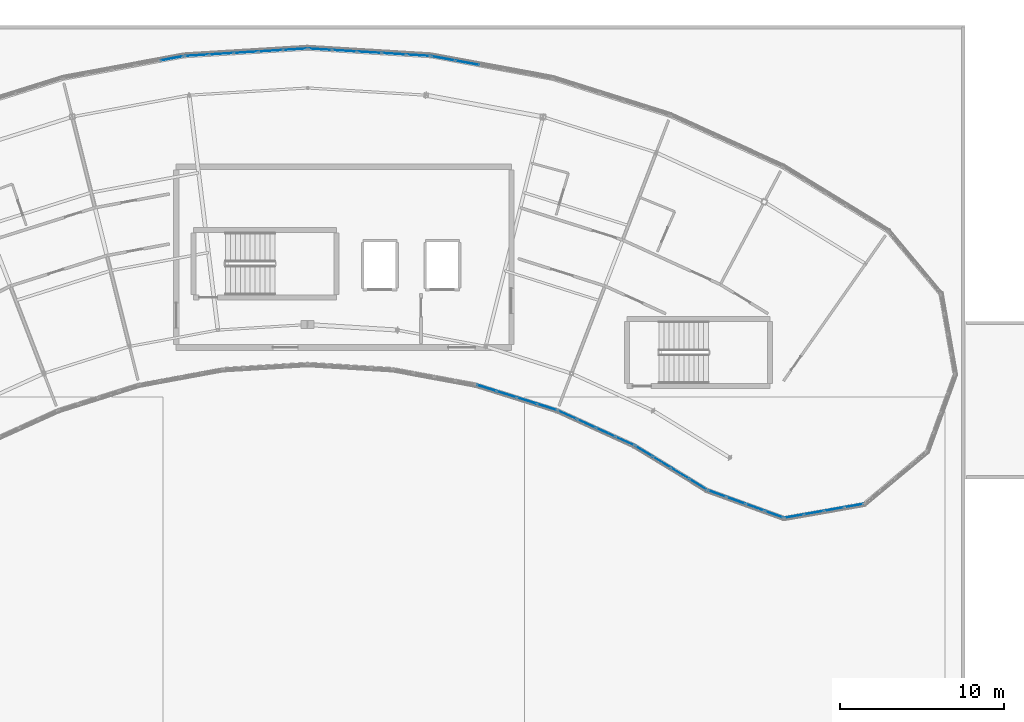
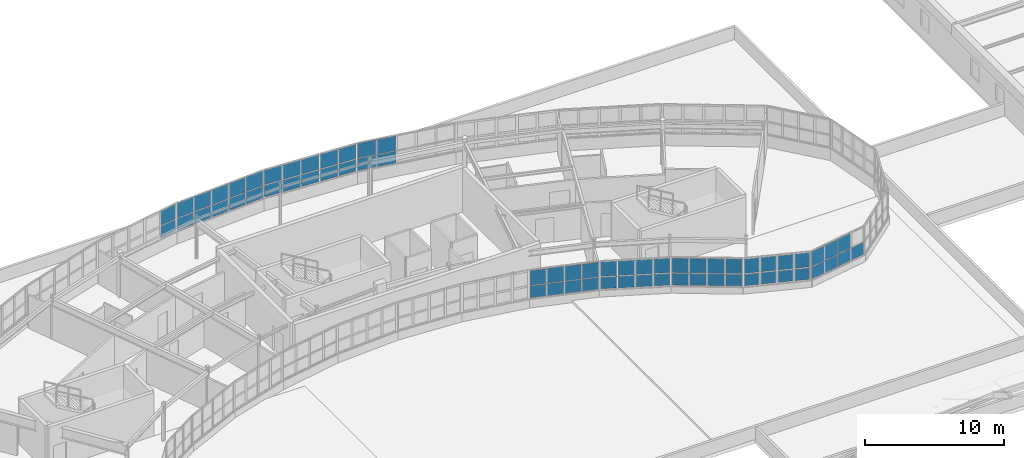
# One storey, part 77 of 128: 65 plates, 9 elements without a shape of their own.
"""IFC4 building model written with IfcOpenShell, lengths in metres."""

from ifc_helpers import new_model, si_unit, direction, frame, origin, origin_2d, place, context, subcontext, project, spatial, rectangle, extrude, material, layer, layer_set, type_object, element, aggregate, save


model = new_model("IFC4")

# Units and contexts
model_context = context("Model", 3, precision=1e-05, world=origin(), true_north=direction((0.0, 1.0)))
body_context = subcontext(model_context, "Body", "Model", "MODEL_VIEW")
ifc_project = project(units=[si_unit("LENGTHUNIT", "METRE"), si_unit("AREAUNIT", "SQUARE_METRE"), si_unit("VOLUMEUNIT", "CUBIC_METRE"), si_unit("PLANEANGLEUNIT", "RADIAN"), si_unit("MASSUNIT", "GRAM", prefix="KILO")], contexts=[model_context])

# Site, building, storey
site_placement = place(None, origin())
site = spatial("IfcSite", under=ifc_project, at=site_placement, CompositionType="ELEMENT")
building_placement = place(site_placement, origin())
building = spatial("IfcBuilding", under=site, at=building_placement, Name="Tarnwether General Hospital", CompositionType="ELEMENT")
storey_placement = place(building_placement, frame((0.0, 0.0, 14.39990234375)))
storey = spatial("IfcBuildingStorey", under=building, at=storey_placement, Name="L03", CompositionType="ELEMENT", Elevation=14.39990234375)

# Curtain wall, plates
ifc_material_1 = material(Name="Anodised aluminium", Category="aluminium")
ifc_layer_1 = layer(ifc_material_1, 0.159912109375)
ifc_layer_set_1 = layer_set([ifc_layer_1], Name="Anodised aluminium")
curtain_wall_type_1 = type_object("IfcCurtainWallType", Name="CW-03", PredefinedType="NOTDEFINED", material=ifc_layer_set_1)
curtain_wall_1_placement = place(storey_placement, origin())
curtain_wall_1 = element("IfcCurtainWall", 1, at=curtain_wall_1_placement, inside=storey, type_object=curtain_wall_type_1, Name="Curtain Wall CWG-L03-1119_1004-0014", PredefinedType="NOTDEFINED")
ifc_material_2 = material(Name="Double glazed low-E glass", Category="glass")
ifc_layer_2 = layer(ifc_material_2, 0.028076171875)
ifc_layer_set_2 = layer_set([ifc_layer_2], Name="Double glazed low-E glass")
plate_type_1 = type_object("IfcPlateType", Name="PT-CWP1", PredefinedType="CURTAIN_PANEL", material=ifc_layer_set_2)
plate_1_placement = place(storey_placement, frame((111.30126953125, 100.712646484375, 1.1201171875), z_axis=(0.0, 0.0, 1.0), x_axis=(-0.90995590549, 0.41470501572, 0.0)))
plate_1 = element("IfcPlate", 2, at=plate_1_placement, type_object=plate_type_1, Name="CW-03 panel 1.1", PredefinedType="CURTAIN_PANEL", context=body_context, shape_type="SweptSolid", body=[
    extrude(rectangle(XDim=1.189208984375, YDim=0.028076171875, at=origin_2d()), origin(), (0.0, 0.0, 1.0), 1.0244140625),
])
plate_2_placement = place(storey_placement, frame((111.30126953125, 100.712646484375, 2.214599609375), z_axis=(0.0, 0.0, 1.0), x_axis=(-0.90995590549, 0.41470501572, 0.0)))
plate_2 = element("IfcPlate", 3, at=plate_2_placement, type_object=plate_type_1, Name="CW-03 panel 1.2", PredefinedType="CURTAIN_PANEL", context=body_context, shape_type="SweptSolid", body=[
    extrude(rectangle(XDim=1.189208984375, YDim=0.028076171875, at=origin_2d()), origin(), (0.0, 0.0, 1.0), 1.275390625),
])
plate_3_placement = place(storey_placement, frame((110.139404296875, 101.2421875, 1.1201171875), z_axis=(0.0, 0.0, 1.0), x_axis=(-0.90995590549, 0.41470501572, 0.0)))
plate_3 = element("IfcPlate", 4, at=plate_3_placement, type_object=plate_type_1, Name="CW-03 panel 2.1", PredefinedType="CURTAIN_PANEL", context=body_context, shape_type="SweptSolid", body=[
    extrude(rectangle(XDim=1.224365234375, YDim=0.028076171875, at=origin_2d()), origin(), (0.0, 0.0, 1.0), 1.0244140625),
])
plate_4_placement = place(storey_placement, frame((110.139404296875, 101.2421875, 2.214599609375), z_axis=(0.0, 0.0, 1.0), x_axis=(-0.90995590549, 0.41470501572, 0.0)))
plate_4 = element("IfcPlate", 5, at=plate_4_placement, type_object=plate_type_1, Name="CW-03 panel 2.2", PredefinedType="CURTAIN_PANEL", context=body_context, shape_type="SweptSolid", body=[
    extrude(rectangle(XDim=1.224365234375, YDim=0.028076171875, at=origin_2d()), origin(), (0.0, 0.0, 1.0), 1.275390625),
])
plate_5_placement = place(storey_placement, frame((108.961669921875, 101.77880859375, 1.1201171875), z_axis=(0.0, 0.0, 1.0), x_axis=(-0.90995590549, 0.41470501572, 0.0)))
plate_5 = element("IfcPlate", 6, at=plate_5_placement, type_object=plate_type_1, Name="CW-03 panel 3.1", PredefinedType="CURTAIN_PANEL", context=body_context, shape_type="SweptSolid", body=[
    extrude(rectangle(XDim=1.224365234375, YDim=0.028076171875, at=origin_2d()), origin(), (0.0, 0.0, 1.0), 1.0244140625),
])
plate_6_placement = place(storey_placement, frame((108.961669921875, 101.77880859375, 2.214599609375), z_axis=(0.0, 0.0, 1.0), x_axis=(-0.90995590549, 0.41470501572, 0.0)))
plate_6 = element("IfcPlate", 7, at=plate_6_placement, type_object=plate_type_1, Name="CW-03 panel 3.2", PredefinedType="CURTAIN_PANEL", context=body_context, shape_type="SweptSolid", body=[
    extrude(rectangle(XDim=1.224365234375, YDim=0.028076171875, at=origin_2d()), origin(), (0.0, 0.0, 1.0), 1.275390625),
])
plate_7_placement = place(storey_placement, frame((107.7998046875, 102.308349609375, 1.1201171875), z_axis=(0.0, 0.0, 1.0), x_axis=(-0.90995590549, 0.41470501572, 0.0)))
plate_7 = element("IfcPlate", 8, at=plate_7_placement, type_object=plate_type_1, Name="CW-03 panel 4.1", PredefinedType="CURTAIN_PANEL", context=body_context, shape_type="SweptSolid", body=[
    extrude(rectangle(XDim=1.189208984375, YDim=0.028076171875, at=origin_2d()), origin(), (0.0, 0.0, 1.0), 1.0244140625),
])
plate_8_placement = place(storey_placement, frame((107.7998046875, 102.308349609375, 2.214599609375), z_axis=(0.0, 0.0, 1.0), x_axis=(-0.90995590549, 0.41470501572, 0.0)))
plate_8 = element("IfcPlate", 9, at=plate_8_placement, type_object=plate_type_1, Name="CW-03 panel 4.2", PredefinedType="CURTAIN_PANEL", context=body_context, shape_type="SweptSolid", body=[
    extrude(rectangle(XDim=1.189208984375, YDim=0.028076171875, at=origin_2d()), origin(), (0.0, 0.0, 1.0), 1.275390625),
])
aggregate(curtain_wall_1, [plate_1, plate_2, plate_3, plate_4, plate_5, plate_6, plate_7, plate_8])

curtain_wall_2_placement = place(storey_placement, origin())
curtain_wall_2 = element("IfcCurtainWall", 10, at=curtain_wall_2_placement, inside=storey, type_object=curtain_wall_type_1, Name="Curtain Wall CWG-L03-1163_977-0015", PredefinedType="NOTDEFINED")
plate_9_placement = place(storey_placement, frame((115.75439453125, 98.07861328125, 1.115234375), z_axis=(0.0, 0.0, 1.0), x_axis=(-0.852631789198, 0.522512231483, 0.0)))
plate_9 = element("IfcPlate", 11, at=plate_9_placement, type_object=plate_type_1, Name="CW-03 panel 1.1", PredefinedType="CURTAIN_PANEL", context=body_context, shape_type="SweptSolid", body=[
    extrude(rectangle(XDim=1.19677734375, YDim=0.028076171875, at=origin_2d()), origin(), (0.0, 0.0, 1.0), 1.031982421875),
])
plate_10_placement = place(storey_placement, frame((115.75439453125, 98.07861328125, 2.2119140625), z_axis=(0.0, 0.0, 1.0), x_axis=(-0.852631789198, 0.522512231483, 0.0)))
plate_10 = element("IfcPlate", 12, at=plate_10_placement, type_object=plate_type_1, Name="CW-03 panel 1.2", PredefinedType="CURTAIN_PANEL", context=body_context, shape_type="SweptSolid", body=[
    extrude(rectangle(XDim=1.19677734375, YDim=0.028076171875, at=origin_2d()), origin(), (0.0, 0.0, 1.0), 1.282958984375),
])
plate_11_placement = place(storey_placement, frame((114.664794921875, 98.746337890625, 1.115234375), z_axis=(0.0, 0.0, 1.0), x_axis=(-0.852631789198, 0.522512231483, 0.0)))
plate_11 = element("IfcPlate", 13, at=plate_11_placement, type_object=plate_type_1, Name="CW-03 panel 2.1", PredefinedType="CURTAIN_PANEL", context=body_context, shape_type="SweptSolid", body=[
    extrude(rectangle(XDim=1.229248046875, YDim=0.028076171875, at=origin_2d()), origin(), (0.0, 0.0, 1.0), 1.031982421875),
])
plate_12_placement = place(storey_placement, frame((114.664794921875, 98.746337890625, 2.2119140625), z_axis=(0.0, 0.0, 1.0), x_axis=(-0.852631789198, 0.522512231483, 0.0)))
plate_12 = element("IfcPlate", 14, at=plate_12_placement, type_object=plate_type_1, Name="CW-03 panel 2.2", PredefinedType="CURTAIN_PANEL", context=body_context, shape_type="SweptSolid", body=[
    extrude(rectangle(XDim=1.229248046875, YDim=0.028076171875, at=origin_2d()), origin(), (0.0, 0.0, 1.0), 1.282958984375),
])
plate_13_placement = place(storey_placement, frame((113.561279296875, 99.422607421875, 1.115234375), z_axis=(0.0, 0.0, 1.0), x_axis=(-0.852631789198, 0.522512231483, 0.0)))
plate_13 = element("IfcPlate", 15, at=plate_13_placement, type_object=plate_type_1, Name="CW-03 panel 3.1", PredefinedType="CURTAIN_PANEL", context=body_context, shape_type="SweptSolid", body=[
    extrude(rectangle(XDim=1.229248046875, YDim=0.028076171875, at=origin_2d()), origin(), (0.0, 0.0, 1.0), 1.031982421875),
])
plate_14_placement = place(storey_placement, frame((113.561279296875, 99.422607421875, 2.2119140625), z_axis=(0.0, 0.0, 1.0), x_axis=(-0.852631789198, 0.522512231483, 0.0)))
plate_14 = element("IfcPlate", 16, at=plate_14_placement, type_object=plate_type_1, Name="CW-03 panel 3.2", PredefinedType="CURTAIN_PANEL", context=body_context, shape_type="SweptSolid", body=[
    extrude(rectangle(XDim=1.229248046875, YDim=0.028076171875, at=origin_2d()), origin(), (0.0, 0.0, 1.0), 1.282958984375),
])
plate_15_placement = place(storey_placement, frame((112.4716796875, 100.09033203125, 1.115234375), z_axis=(0.0, 0.0, 1.0), x_axis=(-0.852631789198, 0.522512231483, 0.0)))
plate_15 = element("IfcPlate", 17, at=plate_15_placement, type_object=plate_type_1, Name="CW-03 panel 4.1", PredefinedType="CURTAIN_PANEL", context=body_context, shape_type="SweptSolid", body=[
    extrude(rectangle(XDim=1.19677734375, YDim=0.028076171875, at=origin_2d()), origin(), (0.0, 0.0, 1.0), 1.031982421875),
])
plate_16_placement = place(storey_placement, frame((112.4716796875, 100.09033203125, 2.2119140625), z_axis=(0.0, 0.0, 1.0), x_axis=(-0.852631789198, 0.522512231483, 0.0)))
plate_16 = element("IfcPlate", 18, at=plate_16_placement, type_object=plate_type_1, Name="CW-03 panel 4.2", PredefinedType="CURTAIN_PANEL", context=body_context, shape_type="SweptSolid", body=[
    extrude(rectangle(XDim=1.19677734375, YDim=0.028076171875, at=origin_2d()), origin(), (0.0, 0.0, 1.0), 1.282958984375),
])
aggregate(curtain_wall_2, [plate_9, plate_10, plate_11, plate_12, plate_13, plate_14, plate_15, plate_16])

curtain_wall_3_placement = place(storey_placement, origin())
curtain_wall_3 = element("IfcCurtainWall", 19, at=curtain_wall_3_placement, inside=storey, type_object=curtain_wall_type_1, Name="Curtain Wall CWG-L03-1259_969-0017", PredefinedType="NOTDEFINED")
plate_17_placement = place(storey_placement, frame((125.256591796875, 96.784423828125, 1.110107421875), z_axis=(0.0, 0.0, 1.0), x_axis=(-0.984805834268, -0.173659059054, 0.0)))
plate_17 = element("IfcPlate", 20, at=plate_17_placement, type_object=plate_type_1, Name="CW-03 panel 1.1", PredefinedType="CURTAIN_PANEL", context=body_context, shape_type="SweptSolid", body=[
    extrude(rectangle(XDim=1.15234375, YDim=0.028076171875, at=origin_2d()), origin(), (0.0, 0.0, 1.0), 1.03955078125),
])
plate_18_placement = place(storey_placement, frame((124.0478515625, 96.5712890625, 1.110107421875), z_axis=(0.0, 0.0, 1.0), x_axis=(-0.984805834268, -0.173659059054, 0.0)))
plate_18 = element("IfcPlate", 21, at=plate_18_placement, type_object=plate_type_1, Name="CW-03 panel 2.1", PredefinedType="CURTAIN_PANEL", context=body_context, shape_type="SweptSolid", body=[
    extrude(rectangle(XDim=1.182373046875, YDim=0.028076171875, at=origin_2d()), origin(), (0.0, 0.0, 1.0), 1.03955078125),
])
plate_19_placement = place(storey_placement, frame((124.0478515625, 96.5712890625, 2.20947265625), z_axis=(0.0, 0.0, 1.0), x_axis=(-0.984805834268, -0.173659059054, 0.0)))
plate_19 = element("IfcPlate", 22, at=plate_19_placement, type_object=plate_type_1, Name="CW-03 panel 2.2", PredefinedType="CURTAIN_PANEL", context=body_context, shape_type="SweptSolid", body=[
    extrude(rectangle(XDim=1.182373046875, YDim=0.028076171875, at=origin_2d()), origin(), (0.0, 0.0, 1.0), 1.29052734375),
])
plate_20_placement = place(storey_placement, frame((122.82421875, 96.355712890625, 1.110107421875), z_axis=(0.0, 0.0, 1.0), x_axis=(-0.984805834268, -0.173659059054, 0.0)))
plate_20 = element("IfcPlate", 23, at=plate_20_placement, type_object=plate_type_1, Name="CW-03 panel 3.1", PredefinedType="CURTAIN_PANEL", context=body_context, shape_type="SweptSolid", body=[
    extrude(rectangle(XDim=1.182373046875, YDim=0.028076171875, at=origin_2d()), origin(), (0.0, 0.0, 1.0), 1.03955078125),
])
plate_21_placement = place(storey_placement, frame((122.82421875, 96.355712890625, 2.20947265625), z_axis=(0.0, 0.0, 1.0), x_axis=(-0.984805834268, -0.173659059054, 0.0)))
plate_21 = element("IfcPlate", 24, at=plate_21_placement, type_object=plate_type_1, Name="CW-03 panel 3.2", PredefinedType="CURTAIN_PANEL", context=body_context, shape_type="SweptSolid", body=[
    extrude(rectangle(XDim=1.182373046875, YDim=0.028076171875, at=origin_2d()), origin(), (0.0, 0.0, 1.0), 1.29052734375),
])
plate_22_placement = place(storey_placement, frame((121.615478515625, 96.142578125, 1.110107421875), z_axis=(0.0, 0.0, 1.0), x_axis=(-0.984805834268, -0.173659059054, 0.0)))
plate_22 = element("IfcPlate", 25, at=plate_22_placement, type_object=plate_type_1, Name="CW-03 panel 4.1", PredefinedType="CURTAIN_PANEL", context=body_context, shape_type="SweptSolid", body=[
    extrude(rectangle(XDim=1.15234375, YDim=0.028076171875, at=origin_2d()), origin(), (0.0, 0.0, 1.0), 1.03955078125),
])
plate_23_placement = place(storey_placement, frame((121.615478515625, 96.142578125, 2.20947265625), z_axis=(0.0, 0.0, 1.0), x_axis=(-0.984805834268, -0.173659059054, 0.0)))
plate_23 = element("IfcPlate", 26, at=plate_23_placement, type_object=plate_type_1, Name="CW-03 panel 4.2", PredefinedType="CURTAIN_PANEL", context=body_context, shape_type="SweptSolid", body=[
    extrude(rectangle(XDim=1.15234375, YDim=0.028076171875, at=origin_2d()), origin(), (0.0, 0.0, 1.0), 1.29052734375),
])
aggregate(curtain_wall_3, [plate_17, plate_18, plate_19, plate_20, plate_21, plate_22, plate_23])

ifc_material_3 = material(Name="Anodised aluminium", Category="aluminium")
ifc_layer_3 = layer(ifc_material_3, 0.159912109375)
ifc_layer_set_3 = layer_set([ifc_layer_3], Name="Anodised aluminium")
curtain_wall_type_2 = type_object("IfcCurtainWallType", Name="CW-01", PredefinedType="NOTDEFINED", material=ifc_layer_set_3)
curtain_wall_4_placement = place(storey_placement, origin())
curtain_wall_4 = element("IfcCurtainWall", 27, at=curtain_wall_4_placement, inside=storey, type_object=curtain_wall_type_2, Name="Curtain Wall CWG-L03-920_1246-0026", PredefinedType="NOTDEFINED")
plate_24_placement = place(storey_placement, frame((92.76806640625, 124.552978515625, 1.1201171875), z_axis=(0.0, 0.0, 1.0), x_axis=(0.998135995608, -0.061028962567, 0.0)))
plate_24 = element("IfcPlate", 28, at=plate_24_placement, type_object=plate_type_1, Name="CW-01 panel 1.1", PredefinedType="CURTAIN_PANEL", context=body_context, shape_type="SweptSolid", body=[
    extrude(rectangle(XDim=1.399169921875, YDim=0.028076171875, at=origin_2d()), origin(), (0.0, 0.0, 1.0), 1.0244140625),
])
plate_25_placement = place(storey_placement, frame((92.76806640625, 124.552978515625, 2.214599609375), z_axis=(0.0, 0.0, 1.0), x_axis=(0.998135995608, -0.061028962567, 0.0)))
plate_25 = element("IfcPlate", 29, at=plate_25_placement, type_object=plate_type_1, Name="CW-01 panel 1.2", PredefinedType="CURTAIN_PANEL", context=body_context, shape_type="SweptSolid", body=[
    extrude(rectangle(XDim=1.399169921875, YDim=0.028076171875, at=origin_2d()), origin(), (0.0, 0.0, 1.0), 1.275390625),
])
plate_26_placement = place(storey_placement, frame((94.252197265625, 124.46240234375, 1.1201171875), z_axis=(0.0, 0.0, 1.0), x_axis=(0.998135995608, -0.061028962567, 0.0)))
plate_26 = element("IfcPlate", 30, at=plate_26_placement, type_object=plate_type_1, Name="CW-01 panel 2.1", PredefinedType="CURTAIN_PANEL", context=body_context, shape_type="SweptSolid", body=[
    extrude(rectangle(XDim=1.43408203125, YDim=0.028076171875, at=origin_2d()), origin(), (0.0, 0.0, 1.0), 1.0244140625),
])
plate_27_placement = place(storey_placement, frame((94.252197265625, 124.46240234375, 2.214599609375), z_axis=(0.0, 0.0, 1.0), x_axis=(0.998135995608, -0.061028962567, 0.0)))
plate_27 = element("IfcPlate", 31, at=plate_27_placement, type_object=plate_type_1, Name="CW-01 panel 2.2", PredefinedType="CURTAIN_PANEL", context=body_context, shape_type="SweptSolid", body=[
    extrude(rectangle(XDim=1.43408203125, YDim=0.028076171875, at=origin_2d()), origin(), (0.0, 0.0, 1.0), 1.275390625),
])
plate_28_placement = place(storey_placement, frame((95.75341796875, 124.37060546875, 1.1201171875), z_axis=(0.0, 0.0, 1.0), x_axis=(0.998135995608, -0.061028962567, 0.0)))
plate_28 = element("IfcPlate", 32, at=plate_28_placement, type_object=plate_type_1, Name="CW-01 panel 3.1", PredefinedType="CURTAIN_PANEL", context=body_context, shape_type="SweptSolid", body=[
    extrude(rectangle(XDim=1.43408203125, YDim=0.028076171875, at=origin_2d()), origin(), (0.0, 0.0, 1.0), 1.0244140625),
])
plate_29_placement = place(storey_placement, frame((95.75341796875, 124.37060546875, 2.214599609375), z_axis=(0.0, 0.0, 1.0), x_axis=(0.998135995608, -0.061028962567, 0.0)))
plate_29 = element("IfcPlate", 33, at=plate_29_placement, type_object=plate_type_1, Name="CW-01 panel 3.2", PredefinedType="CURTAIN_PANEL", context=body_context, shape_type="SweptSolid", body=[
    extrude(rectangle(XDim=1.43408203125, YDim=0.028076171875, at=origin_2d()), origin(), (0.0, 0.0, 1.0), 1.275390625),
])
plate_30_placement = place(storey_placement, frame((97.2548828125, 124.27880859375, 1.1201171875), z_axis=(0.0, 0.0, 1.0), x_axis=(0.998135995608, -0.061028962567, 0.0)))
plate_30 = element("IfcPlate", 34, at=plate_30_placement, type_object=plate_type_1, Name="CW-01 panel 4.1", PredefinedType="CURTAIN_PANEL", context=body_context, shape_type="SweptSolid", body=[
    extrude(rectangle(XDim=1.43408203125, YDim=0.028076171875, at=origin_2d()), origin(), (0.0, 0.0, 1.0), 1.0244140625),
])
plate_31_placement = place(storey_placement, frame((97.2548828125, 124.27880859375, 2.214599609375), z_axis=(0.0, 0.0, 1.0), x_axis=(0.998135995608, -0.061028962567, 0.0)))
plate_31 = element("IfcPlate", 35, at=plate_31_placement, type_object=plate_type_1, Name="CW-01 panel 4.2", PredefinedType="CURTAIN_PANEL", context=body_context, shape_type="SweptSolid", body=[
    extrude(rectangle(XDim=1.43408203125, YDim=0.028076171875, at=origin_2d()), origin(), (0.0, 0.0, 1.0), 1.275390625),
])
plate_32_placement = place(storey_placement, frame((98.73876953125, 124.18798828125, 1.1201171875), z_axis=(0.0, 0.0, 1.0), x_axis=(0.998135995608, -0.061028962567, 0.0)))
plate_32 = element("IfcPlate", 36, at=plate_32_placement, type_object=plate_type_1, Name="CW-01 panel 5.1", PredefinedType="CURTAIN_PANEL", context=body_context, shape_type="SweptSolid", body=[
    extrude(rectangle(XDim=1.399169921875, YDim=0.028076171875, at=origin_2d()), origin(), (0.0, 0.0, 1.0), 1.0244140625),
])
plate_33_placement = place(storey_placement, frame((98.73876953125, 124.18798828125, 2.214599609375), z_axis=(0.0, 0.0, 1.0), x_axis=(0.998135995608, -0.061028962567, 0.0)))
plate_33 = element("IfcPlate", 37, at=plate_33_placement, type_object=plate_type_1, Name="CW-01 panel 5.2", PredefinedType="CURTAIN_PANEL", context=body_context, shape_type="SweptSolid", body=[
    extrude(rectangle(XDim=1.399169921875, YDim=0.028076171875, at=origin_2d()), origin(), (0.0, 0.0, 1.0), 1.275390625),
])
aggregate(curtain_wall_4, [plate_24, plate_25, plate_26, plate_27, plate_28, plate_29, plate_30, plate_31, plate_32, plate_33])

curtain_wall_5_placement = place(storey_placement, origin())
curtain_wall_5 = element("IfcCurtainWall", 38, at=curtain_wall_5_placement, inside=storey, type_object=curtain_wall_type_2, Name="Curtain Wall CWG-L03-845_1241-0027", PredefinedType="NOTDEFINED")
plate_34_placement = place(storey_placement, frame((85.260009765625, 124.18798828125, 1.115234375), z_axis=(0.0, 0.0, 1.0), x_axis=(0.998135995608, 0.061028962567, 0.0)))
plate_34 = element("IfcPlate", 39, at=plate_34_placement, type_object=plate_type_1, Name="CW-01 panel 1.1", PredefinedType="CURTAIN_PANEL", context=body_context, shape_type="SweptSolid", body=[
    extrude(rectangle(XDim=1.40673828125, YDim=0.028076171875, at=origin_2d()), origin(), (0.0, 0.0, 1.0), 1.031982421875),
])
plate_35_placement = place(storey_placement, frame((85.260009765625, 124.18798828125, 2.2119140625), z_axis=(0.0, 0.0, 1.0), x_axis=(0.998135995608, 0.061028962567, 0.0)))
plate_35 = element("IfcPlate", 40, at=plate_35_placement, type_object=plate_type_1, Name="CW-01 panel 1.2", PredefinedType="CURTAIN_PANEL", context=body_context, shape_type="SweptSolid", body=[
    extrude(rectangle(XDim=1.40673828125, YDim=0.028076171875, at=origin_2d()), origin(), (0.0, 0.0, 1.0), 1.282958984375),
])
plate_36_placement = place(storey_placement, frame((86.7451171875, 124.27880859375, 1.115234375), z_axis=(0.0, 0.0, 1.0), x_axis=(0.998135995608, 0.061028962567, 0.0)))
plate_36 = element("IfcPlate", 41, at=plate_36_placement, type_object=plate_type_1, Name="CW-01 panel 2.1", PredefinedType="CURTAIN_PANEL", context=body_context, shape_type="SweptSolid", body=[
    extrude(rectangle(XDim=1.439208984375, YDim=0.028076171875, at=origin_2d()), origin(), (0.0, 0.0, 1.0), 1.031982421875),
])
plate_37_placement = place(storey_placement, frame((86.7451171875, 124.27880859375, 2.2119140625), z_axis=(0.0, 0.0, 1.0), x_axis=(0.998135995608, 0.061028962567, 0.0)))
plate_37 = element("IfcPlate", 42, at=plate_37_placement, type_object=plate_type_1, Name="CW-01 panel 2.2", PredefinedType="CURTAIN_PANEL", context=body_context, shape_type="SweptSolid", body=[
    extrude(rectangle(XDim=1.439208984375, YDim=0.028076171875, at=origin_2d()), origin(), (0.0, 0.0, 1.0), 1.282958984375),
])
plate_38_placement = place(storey_placement, frame((88.24658203125, 124.37060546875, 1.115234375), z_axis=(0.0, 0.0, 1.0), x_axis=(0.998135995608, 0.061028962567, 0.0)))
plate_38 = element("IfcPlate", 43, at=plate_38_placement, type_object=plate_type_1, Name="CW-01 panel 3.1", PredefinedType="CURTAIN_PANEL", context=body_context, shape_type="SweptSolid", body=[
    extrude(rectangle(XDim=1.439208984375, YDim=0.028076171875, at=origin_2d()), origin(), (0.0, 0.0, 1.0), 1.031982421875),
])
plate_39_placement = place(storey_placement, frame((88.24658203125, 124.37060546875, 2.2119140625), z_axis=(0.0, 0.0, 1.0), x_axis=(0.998135995608, 0.061028962567, 0.0)))
plate_39 = element("IfcPlate", 44, at=plate_39_placement, type_object=plate_type_1, Name="CW-01 panel 3.2", PredefinedType="CURTAIN_PANEL", context=body_context, shape_type="SweptSolid", body=[
    extrude(rectangle(XDim=1.439208984375, YDim=0.028076171875, at=origin_2d()), origin(), (0.0, 0.0, 1.0), 1.282958984375),
])
plate_40_placement = place(storey_placement, frame((89.747802734375, 124.46240234375, 1.115234375), z_axis=(0.0, 0.0, 1.0), x_axis=(0.998135995608, 0.061028962567, 0.0)))
plate_40 = element("IfcPlate", 45, at=plate_40_placement, type_object=plate_type_1, Name="CW-01 panel 4.1", PredefinedType="CURTAIN_PANEL", context=body_context, shape_type="SweptSolid", body=[
    extrude(rectangle(XDim=1.439208984375, YDim=0.028076171875, at=origin_2d()), origin(), (0.0, 0.0, 1.0), 1.031982421875),
])
plate_41_placement = place(storey_placement, frame((89.747802734375, 124.46240234375, 2.2119140625), z_axis=(0.0, 0.0, 1.0), x_axis=(0.998135995608, 0.061028962567, 0.0)))
plate_41 = element("IfcPlate", 46, at=plate_41_placement, type_object=plate_type_1, Name="CW-01 panel 4.2", PredefinedType="CURTAIN_PANEL", context=body_context, shape_type="SweptSolid", body=[
    extrude(rectangle(XDim=1.439208984375, YDim=0.028076171875, at=origin_2d()), origin(), (0.0, 0.0, 1.0), 1.282958984375),
])
plate_42_placement = place(storey_placement, frame((91.233154296875, 124.55322265625, 1.115234375), z_axis=(0.0, 0.0, 1.0), x_axis=(0.998135995608, 0.061028962567, 0.0)))
plate_42 = element("IfcPlate", 47, at=plate_42_placement, type_object=plate_type_1, Name="CW-01 panel 5.1", PredefinedType="CURTAIN_PANEL", context=body_context, shape_type="SweptSolid", body=[
    extrude(rectangle(XDim=1.40673828125, YDim=0.028076171875, at=origin_2d()), origin(), (0.0, 0.0, 1.0), 1.031982421875),
])
plate_43_placement = place(storey_placement, frame((91.233154296875, 124.55322265625, 2.2119140625), z_axis=(0.0, 0.0, 1.0), x_axis=(0.998135995608, 0.061028962567, 0.0)))
plate_43 = element("IfcPlate", 48, at=plate_43_placement, type_object=plate_type_1, Name="CW-01 panel 5.2", PredefinedType="CURTAIN_PANEL", context=body_context, shape_type="SweptSolid", body=[
    extrude(rectangle(XDim=1.40673828125, YDim=0.028076171875, at=origin_2d()), origin(), (0.0, 0.0, 1.0), 1.282958984375),
])
aggregate(curtain_wall_5, [plate_34, plate_35, plate_36, plate_37, plate_38, plate_39, plate_40, plate_41, plate_42, plate_43])

curtain_wall_6_placement = place(storey_placement, origin())
curtain_wall_6 = element("IfcCurtainWall", 49, at=curtain_wall_6_placement, inside=storey, type_object=curtain_wall_type_1, Name="Curtain Wall CWG-L03-1072_1026-0013", PredefinedType="NOTDEFINED")
ifc_material_4 = material(Name="Double glazed low-E glass", Category="glass")
ifc_layer_4 = layer(ifc_material_4, 0.035888671875)
ifc_layer_set_4 = layer_set([ifc_layer_4], Name="Double glazed low-E glass")
plate_type_2 = type_object("IfcPlateType", Name="PT-CWP2", PredefinedType="CURTAIN_PANEL", material=ifc_layer_set_4)
plate_44_placement = place(storey_placement, frame((106.5634765625, 102.783203125, 1.110107421875), z_axis=(0.0, 0.0, 1.0), x_axis=(-0.953713927508, 0.30071538783, 0.0)))
plate_44 = element("IfcPlate", 50, at=plate_44_placement, type_object=plate_type_2, Name="CW-03 panel 1.1", PredefinedType="CURTAIN_PANEL", context=body_context, shape_type="SweptSolid", body=[
    extrude(rectangle(XDim=1.204345703125, YDim=0.035888671875, at=origin_2d()), origin(), (0.0, 0.0, 1.0), 1.03955078125),
])
plate_45_placement = place(storey_placement, frame((106.5634765625, 102.783203125, 2.20947265625), z_axis=(0.0, 0.0, 1.0), x_axis=(-0.953713927508, 0.30071538783, 0.0)))
plate_45 = element("IfcPlate", 51, at=plate_45_placement, type_object=plate_type_2, Name="CW-03 panel 1.2", PredefinedType="CURTAIN_PANEL", context=body_context, shape_type="SweptSolid", body=[
    extrude(rectangle(XDim=1.204345703125, YDim=0.035888671875, at=origin_2d()), origin(), (0.0, 0.0, 1.0), 1.29052734375),
])
plate_46_placement = place(storey_placement, frame((105.34326171875, 103.16796875, 1.110107421875), z_axis=(0.0, 0.0, 1.0), x_axis=(-0.953713927508, 0.30071538783, 0.0)))
plate_46 = element("IfcPlate", 52, at=plate_46_placement, type_object=plate_type_2, Name="CW-03 panel 2.1", PredefinedType="CURTAIN_PANEL", context=body_context, shape_type="SweptSolid", body=[
    extrude(rectangle(XDim=1.234375, YDim=0.035888671875, at=origin_2d()), origin(), (0.0, 0.0, 1.0), 1.03955078125),
])
plate_47_placement = place(storey_placement, frame((105.34326171875, 103.16796875, 2.20947265625), z_axis=(0.0, 0.0, 1.0), x_axis=(-0.953713927508, 0.30071538783, 0.0)))
plate_47 = element("IfcPlate", 53, at=plate_47_placement, type_object=plate_type_2, Name="CW-03 panel 2.2", PredefinedType="CURTAIN_PANEL", context=body_context, shape_type="SweptSolid", body=[
    extrude(rectangle(XDim=1.234375, YDim=0.035888671875, at=origin_2d()), origin(), (0.0, 0.0, 1.0), 1.29052734375),
])
plate_48_placement = place(storey_placement, frame((104.108642578125, 103.55712890625, 1.110107421875), z_axis=(0.0, 0.0, 1.0), x_axis=(-0.953713927508, 0.30071538783, 0.0)))
plate_48 = element("IfcPlate", 54, at=plate_48_placement, type_object=plate_type_2, Name="CW-03 panel 3.1", PredefinedType="CURTAIN_PANEL", context=body_context, shape_type="SweptSolid", body=[
    extrude(rectangle(XDim=1.234375, YDim=0.035888671875, at=origin_2d()), origin(), (0.0, 0.0, 1.0), 1.03955078125),
])
plate_49_placement = place(storey_placement, frame((104.108642578125, 103.55712890625, 2.20947265625), z_axis=(0.0, 0.0, 1.0), x_axis=(-0.953713927508, 0.30071538783, 0.0)))
plate_49 = element("IfcPlate", 55, at=plate_49_placement, type_object=plate_type_2, Name="CW-03 panel 3.2", PredefinedType="CURTAIN_PANEL", context=body_context, shape_type="SweptSolid", body=[
    extrude(rectangle(XDim=1.234375, YDim=0.035888671875, at=origin_2d()), origin(), (0.0, 0.0, 1.0), 1.29052734375),
])
plate_50_placement = place(storey_placement, frame((102.888671875, 103.94189453125, 1.110107421875), z_axis=(0.0, 0.0, 1.0), x_axis=(-0.953713927508, 0.30071538783, 0.0)))
plate_50 = element("IfcPlate", 56, at=plate_50_placement, type_object=plate_type_2, Name="CW-03 panel 4.1", PredefinedType="CURTAIN_PANEL", context=body_context, shape_type="SweptSolid", body=[
    extrude(rectangle(XDim=1.204345703125, YDim=0.035888671875, at=origin_2d()), origin(), (0.0, 0.0, 1.0), 1.03955078125),
])
plate_51_placement = place(storey_placement, frame((102.888671875, 103.94189453125, 2.20947265625), z_axis=(0.0, 0.0, 1.0), x_axis=(-0.953713927508, 0.30071538783, 0.0)))
plate_51 = element("IfcPlate", 57, at=plate_51_placement, type_object=plate_type_2, Name="CW-03 panel 4.2", PredefinedType="CURTAIN_PANEL", context=body_context, shape_type="SweptSolid", body=[
    extrude(rectangle(XDim=1.204345703125, YDim=0.035888671875, at=origin_2d()), origin(), (0.0, 0.0, 1.0), 1.29052734375),
])
aggregate(curtain_wall_6, [plate_44, plate_45, plate_46, plate_47, plate_48, plate_49, plate_50, plate_51])

curtain_wall_7_placement = place(storey_placement, origin())
curtain_wall_7 = element("IfcCurtainWall", 58, at=curtain_wall_7_placement, inside=storey, type_object=curtain_wall_type_1, Name="Curtain Wall CWG-L03-1210_960-0016", PredefinedType="NOTDEFINED")
plate_52_placement = place(storey_placement, frame((120.386474609375, 96.251220703125, 1.1298828125), z_axis=(0.0, 0.0, 1.0), x_axis=(-0.939652319163, 0.342130850834, 0.0)))
plate_52 = element("IfcPlate", 59, at=plate_52_placement, type_object=plate_type_2, Name="CW-03 panel 1.1", PredefinedType="CURTAIN_PANEL", context=body_context, shape_type="SweptSolid", body=[
    extrude(rectangle(XDim=1.122314453125, YDim=0.035888671875, at=origin_2d()), origin(), (0.0, 0.0, 1.0), 1.009521484375),
])
plate_53_placement = place(storey_placement, frame((120.386474609375, 96.251220703125, 2.2197265625), z_axis=(0.0, 0.0, 1.0), x_axis=(-0.939652319163, 0.342130850834, 0.0)))
plate_53 = element("IfcPlate", 60, at=plate_53_placement, type_object=plate_type_2, Name="CW-03 panel 1.2", PredefinedType="CURTAIN_PANEL", context=body_context, shape_type="SweptSolid", body=[
    extrude(rectangle(XDim=1.122314453125, YDim=0.035888671875, at=origin_2d()), origin(), (0.0, 0.0, 1.0), 1.260498046875),
])
plate_54_placement = place(storey_placement, frame((119.238037109375, 96.66943359375, 1.1298828125), z_axis=(0.0, 0.0, 1.0), x_axis=(-0.939652319163, 0.342130850834, 0.0)))
plate_54 = element("IfcPlate", 61, at=plate_54_placement, type_object=plate_type_2, Name="CW-03 panel 2.1", PredefinedType="CURTAIN_PANEL", context=body_context, shape_type="SweptSolid", body=[
    extrude(rectangle(XDim=1.162109375, YDim=0.035888671875, at=origin_2d()), origin(), (0.0, 0.0, 1.0), 1.009521484375),
])
plate_55_placement = place(storey_placement, frame((119.238037109375, 96.66943359375, 2.2197265625), z_axis=(0.0, 0.0, 1.0), x_axis=(-0.939652319163, 0.342130850834, 0.0)))
plate_55 = element("IfcPlate", 62, at=plate_55_placement, type_object=plate_type_2, Name="CW-03 panel 2.2", PredefinedType="CURTAIN_PANEL", context=body_context, shape_type="SweptSolid", body=[
    extrude(rectangle(XDim=1.162109375, YDim=0.035888671875, at=origin_2d()), origin(), (0.0, 0.0, 1.0), 1.260498046875),
])
plate_56_placement = place(storey_placement, frame((118.07080078125, 97.094482421875, 1.1298828125), z_axis=(0.0, 0.0, 1.0), x_axis=(-0.939652319163, 0.342130850834, 0.0)))
plate_56 = element("IfcPlate", 63, at=plate_56_placement, type_object=plate_type_2, Name="CW-03 panel 3.1", PredefinedType="CURTAIN_PANEL", context=body_context, shape_type="SweptSolid", body=[
    extrude(rectangle(XDim=1.162109375, YDim=0.035888671875, at=origin_2d()), origin(), (0.0, 0.0, 1.0), 1.009521484375),
])
plate_57_placement = place(storey_placement, frame((118.07080078125, 97.094482421875, 2.2197265625), z_axis=(0.0, 0.0, 1.0), x_axis=(-0.939652319163, 0.342130850834, 0.0)))
plate_57 = element("IfcPlate", 64, at=plate_57_placement, type_object=plate_type_2, Name="CW-03 panel 3.2", PredefinedType="CURTAIN_PANEL", context=body_context, shape_type="SweptSolid", body=[
    extrude(rectangle(XDim=1.162109375, YDim=0.035888671875, at=origin_2d()), origin(), (0.0, 0.0, 1.0), 1.260498046875),
])
plate_58_placement = place(storey_placement, frame((116.92236328125, 97.5126953125, 1.1298828125), z_axis=(0.0, 0.0, 1.0), x_axis=(-0.939652319163, 0.342130850834, 0.0)))
plate_58 = element("IfcPlate", 65, at=plate_58_placement, type_object=plate_type_2, Name="CW-03 panel 4.1", PredefinedType="CURTAIN_PANEL", context=body_context, shape_type="SweptSolid", body=[
    extrude(rectangle(XDim=1.122314453125, YDim=0.035888671875, at=origin_2d()), origin(), (0.0, 0.0, 1.0), 1.009521484375),
])
plate_59_placement = place(storey_placement, frame((116.92236328125, 97.5126953125, 2.2197265625), z_axis=(0.0, 0.0, 1.0), x_axis=(-0.939652319163, 0.342130850834, 0.0)))
plate_59 = element("IfcPlate", 66, at=plate_59_placement, type_object=plate_type_2, Name="CW-03 panel 4.2", PredefinedType="CURTAIN_PANEL", context=body_context, shape_type="SweptSolid", body=[
    extrude(rectangle(XDim=1.122314453125, YDim=0.035888671875, at=origin_2d()), origin(), (0.0, 0.0, 1.0), 1.260498046875),
])
aggregate(curtain_wall_7, [plate_52, plate_53, plate_54, plate_55, plate_56, plate_57, plate_58, plate_59])

curtain_wall_8_placement = place(storey_placement, origin())
curtain_wall_8 = element("IfcCurtainWall", 67, at=curtain_wall_8_placement, inside=storey, type_object=curtain_wall_type_2, Name="Curtain Wall CWG-L03-995_1241-0025", PredefinedType="NOTDEFINED")
plate_60_placement = place(storey_placement, frame((100.26123046875, 124.001220703125, 1.110107421875), z_axis=(0.0, 0.0, 1.0), x_axis=(0.983244953132, -0.182289226614, 0.0)))
plate_60 = element("IfcPlate", 68, at=plate_60_placement, type_object=plate_type_2, Name="CW-01 panel 1.1", PredefinedType="CURTAIN_PANEL", context=body_context, shape_type="SweptSolid", body=[
    extrude(rectangle(XDim=1.414306640625, YDim=0.035888671875, at=origin_2d()), origin(), (0.0, 0.0, 1.0), 1.03955078125),
])
plate_61_placement = place(storey_placement, frame((100.26123046875, 124.001220703125, 2.20947265625), z_axis=(0.0, 0.0, 1.0), x_axis=(0.983244953132, -0.182289226614, 0.0)))
plate_61 = element("IfcPlate", 69, at=plate_61_placement, type_object=plate_type_2, Name="CW-01 panel 1.2", PredefinedType="CURTAIN_PANEL", context=body_context, shape_type="SweptSolid", body=[
    extrude(rectangle(XDim=1.414306640625, YDim=0.035888671875, at=origin_2d()), origin(), (0.0, 0.0, 1.0), 1.29052734375),
])
plate_62_placement = place(storey_placement, frame((101.7255859375, 123.729736328125, 1.110107421875), z_axis=(0.0, 0.0, 1.0), x_axis=(0.983244953132, -0.182289226614, 0.0)))
plate_62 = element("IfcPlate", 70, at=plate_62_placement, type_object=plate_type_2, Name="CW-01 panel 2.1", PredefinedType="CURTAIN_PANEL", context=body_context, shape_type="SweptSolid", body=[
    extrude(rectangle(XDim=1.444091796875, YDim=0.035888671875, at=origin_2d()), origin(), (0.0, 0.0, 1.0), 1.03955078125),
])
plate_63_placement = place(storey_placement, frame((101.7255859375, 123.729736328125, 2.20947265625), z_axis=(0.0, 0.0, 1.0), x_axis=(0.983244953132, -0.182289226614, 0.0)))
plate_63 = element("IfcPlate", 71, at=plate_63_placement, type_object=plate_type_2, Name="CW-01 panel 2.2", PredefinedType="CURTAIN_PANEL", context=body_context, shape_type="SweptSolid", body=[
    extrude(rectangle(XDim=1.444091796875, YDim=0.035888671875, at=origin_2d()), origin(), (0.0, 0.0, 1.0), 1.29052734375),
])
aggregate(curtain_wall_8, [plate_60, plate_61, plate_62, plate_63])

curtain_wall_9_placement = place(storey_placement, origin())
curtain_wall_9 = element("IfcCurtainWall", 72, at=curtain_wall_9_placement, inside=storey, type_object=curtain_wall_type_2, Name="Curtain Wall CWG-L03-771_1228-0028", PredefinedType="NOTDEFINED")
plate_64_placement = place(storey_placement, frame((83.73388671875, 124.000244140625, 1.1298828125), z_axis=(0.0, 0.0, 1.0), x_axis=(0.983244953132, 0.182289226614, 0.0)))
plate_64 = element("IfcPlate", 73, at=plate_64_placement, type_object=plate_type_2, Name="CW-01 panel 5.1", PredefinedType="CURTAIN_PANEL", context=body_context, shape_type="SweptSolid", body=[
    extrude(rectangle(XDim=1.38427734375, YDim=0.035888671875, at=origin_2d()), origin(), (0.0, 0.0, 1.0), 1.009521484375),
])
plate_65_placement = place(storey_placement, frame((83.73388671875, 124.000244140625, 2.2197265625), z_axis=(0.0, 0.0, 1.0), x_axis=(0.983244953132, 0.182289226614, 0.0)))
plate_65 = element("IfcPlate", 74, at=plate_65_placement, type_object=plate_type_2, Name="CW-01 panel 5.2", PredefinedType="CURTAIN_PANEL", context=body_context, shape_type="SweptSolid", body=[
    extrude(rectangle(XDim=1.38427734375, YDim=0.035888671875, at=origin_2d()), origin(), (0.0, 0.0, 1.0), 1.260498046875),
])
aggregate(curtain_wall_9, [plate_64, plate_65])

save(model, "model.ifc")
